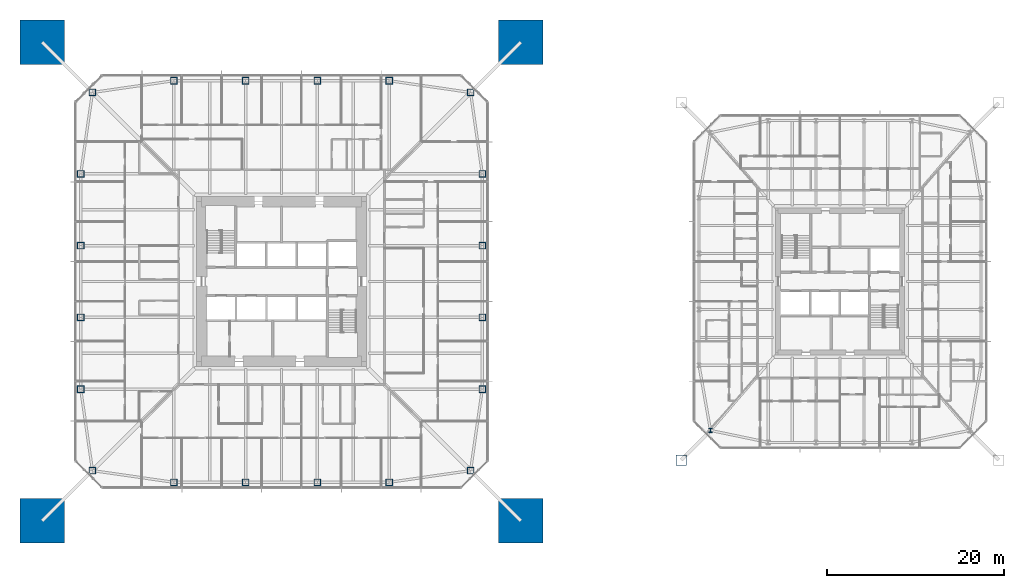
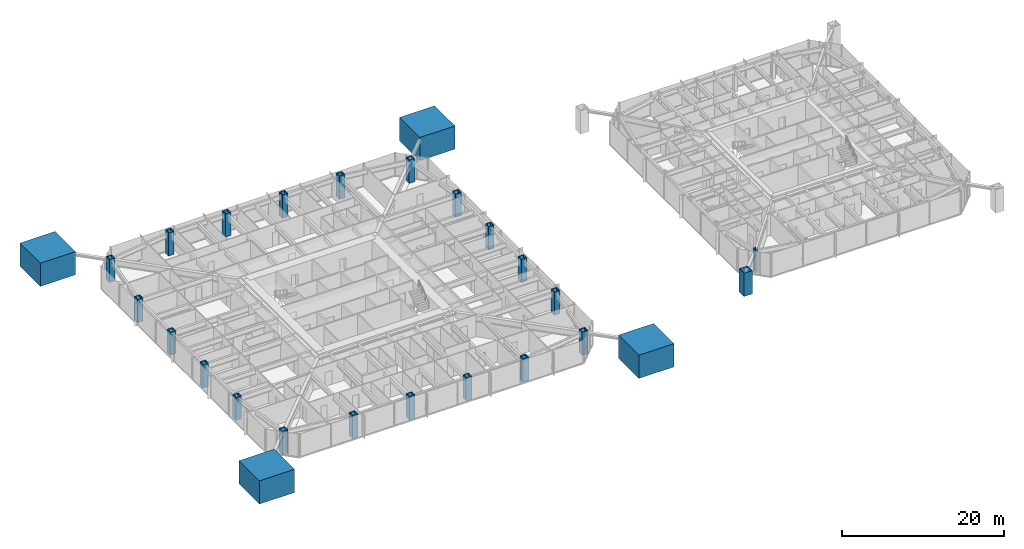
# One storey, part 1 of 26: 26 columns.
"""IFC4 building model written with IfcOpenShell, lengths in metres."""

import ifcopenshell
import ifcopenshell.guid

model = None  # the IFC model being written
_history = None  # IfcOwnerHistory: only IFC2X3 demands one
_inside = {}  # id of a spatial element -> (the spatial element, [elements in it])
_under = {}  # id of a project, library or spatial element -> (it, [spatial elements below it])
_declared = {}  # id of a project -> (the project, [libraries it declares])
_typed = {}  # id of a type object -> (the type object, [elements of that type])
_made_of = {}  # id of a material, layer set ... -> (it, [elements and type objects made of it])


def new_model(schema):
    """Start an empty IFC model of exactly this schema.

    Asked for "IFC4X3", IfcOpenShell would pick the latest addendum, in which some entities
    have other attributes; the version numbers below select the first issue.
    IFC2X3 requires an IfcOwnerHistory on every rooted entity: one is made here for all.
    """
    global model, _history
    if schema == "IFC4X3":
        model = ifcopenshell.file(schema_version=(4, 3, 0, 0))
    else:
        model = ifcopenshell.file(schema=schema)
    _inside.clear()
    _under.clear()
    _declared.clear()
    _typed.clear()
    _made_of.clear()
    _history = None
    if model.schema == "IFC2X3":
        org = make("IfcOrganization", Name="unknown")
        user = make(
            "IfcPersonAndOrganization",
            ThePerson=make("IfcPerson", FamilyName="unknown"),
            TheOrganization=org,
        )
        app = make(
            "IfcApplication",
            ApplicationDeveloper=org,
            Version="unknown",
            ApplicationFullName="unknown",
            ApplicationIdentifier="unknown",
        )
        _history = make(
            "IfcOwnerHistory",
            OwningUser=user,
            OwningApplication=app,
            ChangeAction="ADDED",
            CreationDate=0,
        )
    return model


def make(cls, **values):
    """One entity of the class cls with the attributes given. An attribute that is None is left unset."""
    return model.create_entity(
        cls, **{name: value for name, value in values.items() if value is not None}
    )


def rooted(cls, **values):
    """An entity with a GlobalId (a new one), such as an element, a storey or a relation."""
    return make(cls, GlobalId=ifcopenshell.guid.new(), OwnerHistory=_history, **values)


def si_unit(unit_type, name, prefix=None):
    """IfcSIUnit, for example si_unit("LENGTHUNIT", "METRE", prefix="MILLI")."""
    return make("IfcSIUnit", UnitType=unit_type, Prefix=prefix, Name=name)


def assignment(units):
    """IfcUnitAssignment: the units of a project."""
    return None if units is None else make("IfcUnitAssignment", Units=units)


def point(xyz):
    """IfcCartesianPoint."""
    return None if xyz is None else make("IfcCartesianPoint", Coordinates=xyz)


def direction(xyz):
    """IfcDirection."""
    return None if xyz is None else make("IfcDirection", DirectionRatios=xyz)


def frame(location, z_axis=None, x_axis=None):
    """IfcAxis2Placement3D, a coordinate frame: its origin and axes. An axis left out is left unset."""
    return make(
        "IfcAxis2Placement3D",
        Location=point(location),
        Axis=direction(z_axis),
        RefDirection=direction(x_axis),
    )


def frame_2d(location, x_axis=None):
    """IfcAxis2Placement2D, a coordinate frame in the plane: its origin and x axis."""
    return make(
        "IfcAxis2Placement2D", Location=point(location), RefDirection=direction(x_axis)
    )


def origin():
    """The frame at (0, 0, 0) with its axes left unset."""
    return frame((0.0, 0.0, 0.0))


def origin_2d():
    """The frame at (0, 0) in the plane with its x axis left unset."""
    return frame_2d((0.0, 0.0))


def place(relative_to, where):
    """IfcLocalPlacement: puts the frame where relative to a parent placement (None: the world)."""
    return make(
        "IfcLocalPlacement", PlacementRelTo=relative_to, RelativePlacement=where
    )


def context(
    kind, dimensions, precision=None, world=None, true_north=None, identifier=None
):
    """IfcGeometricRepresentationContext, for example the 3D "Model" context."""
    return make(
        "IfcGeometricRepresentationContext",
        ContextIdentifier=identifier,
        ContextType=kind,
        CoordinateSpaceDimension=dimensions,
        Precision=precision,
        WorldCoordinateSystem=world,
        TrueNorth=true_north,
    )


def subcontext(parent, identifier, kind, view, scale=None):
    """IfcGeometricRepresentationSubContext, for example "Body" below "Model"."""
    return make(
        "IfcGeometricRepresentationSubContext",
        ContextIdentifier=identifier,
        ContextType=kind,
        ParentContext=parent,
        TargetScale=scale,
        TargetView=view,
    )


def project(units=None, contexts=None):
    """IfcProject with its units and contexts."""
    return rooted(
        "IfcProject",
        Name="project",
        RepresentationContexts=contexts,
        UnitsInContext=assignment(units),
    )


def spatial(cls, under=None, at=None, **own):
    """A site, building, storey or space (cls), placed at a placement, below another one or the project."""
    s = rooted(cls, ObjectPlacement=at, **own)
    if under is not None:
        _under.setdefault(under.id(), (under, []))[1].append(s)
    return s


def profile(cls, at=None, kind="AREA", **sizes):
    """A parametric profile (cls). Its sizes go by their IFC names, for example OverallWidth=200.0."""
    return make(cls, ProfileType=kind, Position=at, **sizes)


def rectangle(**sizes):
    """IfcRectangleProfileDef."""
    return profile("IfcRectangleProfileDef", **sizes)


def hollow_rectangle(**sizes):
    """IfcRectangleHollowProfileDef."""
    return profile("IfcRectangleHollowProfileDef", **sizes)


def i_section(**sizes):
    """IfcIShapeProfileDef."""
    return profile("IfcIShapeProfileDef", **sizes)


def extrude(swept, where, along, depth):
    """IfcExtrudedAreaSolid: the profile swept, set in the frame where, extruded along a direction by depth."""
    return make(
        "IfcExtrudedAreaSolid",
        SweptArea=swept,
        Position=where,
        ExtrudedDirection=direction(along),
        Depth=depth,
    )


def shape(context_of_items, identifier, shape_type, items):
    """IfcShapeRepresentation: the items that make up one representation, for example the "Body"."""
    return make(
        "IfcShapeRepresentation",
        ContextOfItems=context_of_items,
        RepresentationIdentifier=identifier,
        RepresentationType=shape_type,
        Items=items,
    )


def material(Name=None, Category=None):
    """IfcMaterial."""
    return make("IfcMaterial", Name=Name, Category=Category)


def material_profile(
    of_material, cross_section, Name=None, Category=None, Priority=None
):
    """IfcMaterialProfile: a cross section and its material."""
    return make(
        "IfcMaterialProfile",
        Name=Name,
        Material=of_material,
        Profile=cross_section,
        Priority=Priority,
        Category=Category,
    )


def profile_set(profiles, Name=None, composite=None):
    """IfcMaterialProfileSet."""
    return make(
        "IfcMaterialProfileSet",
        Name=Name,
        MaterialProfiles=profiles,
        CompositeProfile=composite,
    )


def made_of(thing, what):
    """Note that an element or type object is made of a material, layer set ...; save() writes the relation."""
    if what is not None:
        _made_of.setdefault(what.id(), (what, []))[1].append(thing)
    return thing


def type_object(cls, material=None, **own):
    """A type object (cls), such as IfcWallType, which elements share."""
    return made_of(rooted(cls, **own), material)


def element(
    cls,
    number,
    at=None,
    inside=None,
    cuts=None,
    type_object=None,
    material=None,
    context=None,
    identifier="Body",
    shape_type=None,
    held_by="IfcProductDefinitionShape",
    body=None,
    shapes=None,
    **own,
):
    """One element of the class cls, such as IfcWall. Its Tag is "e" and its number.

    at: its placement. inside: the storey or other place that contains it. cuts: it is an
    opening in that element (IfcRelVoidsElement). A single representation is given by context,
    identifier, shape_type and body (its items); several are given by shapes. held_by: the class
    of the entity that holds the representations. save() writes the other relations.
    """
    e = rooted(cls, Tag="e%d" % number, ObjectPlacement=at, **own)
    if body is not None:
        shapes = [shape(context, identifier, shape_type, body)]
    if shapes is not None:
        e.Representation = make(held_by, Representations=shapes)
    if inside is not None:
        _inside.setdefault(inside.id(), (inside, []))[1].append(e)
    if cuts is not None:
        rooted(
            "IfcRelVoidsElement", RelatingBuildingElement=cuts, RelatedOpeningElement=e
        )
    if type_object is not None:
        _typed.setdefault(type_object.id(), (type_object, []))[1].append(e)
    return made_of(e, material)


def aggregate(whole, parts):
    """IfcRelAggregates: a whole, such as a stair, and the parts it consists of."""
    return rooted("IfcRelAggregates", RelatingObject=whole, RelatedObjects=parts)


def save(model, path):
    """Write the relations noted so far, then the file.

    IfcRelAggregates (storeys below a building ...), IfcRelContainedInSpatialStructure (elements
    in a storey), IfcRelDefinesByType, IfcRelAssociatesMaterial and IfcRelDeclares: one each for
    every whole, place, type object, material and project.
    """
    for whole, parts in _under.values():
        aggregate(whole, parts)
    for where, things in _inside.values():
        rooted(
            "IfcRelContainedInSpatialStructure",
            RelatedElements=things,
            RelatingStructure=where,
        )
    for kind, things in _typed.values():
        rooted("IfcRelDefinesByType", RelatedObjects=things, RelatingType=kind)
    for what, things in _made_of.values():
        rooted("IfcRelAssociatesMaterial", RelatedObjects=things, RelatingMaterial=what)
    for by, libraries in _declared.values():
        rooted("IfcRelDeclares", RelatingContext=by, RelatedDefinitions=libraries)
    model.write(path)


model = new_model("IFC4")

# Units and contexts
model_context = context("Model", 3, precision=1e-05, world=origin(), true_north=direction((0.0, 1.0)))
body_context = subcontext(model_context, "Body", "Model", "MODEL_VIEW")
ifc_project = project(units=[si_unit("LENGTHUNIT", "METRE"), si_unit("AREAUNIT", "SQUARE_METRE"), si_unit("VOLUMEUNIT", "CUBIC_METRE"), si_unit("PLANEANGLEUNIT", "RADIAN"), si_unit("MASSUNIT", "GRAM", prefix="KILO")], contexts=[model_context])

# Site, building, storey
site_placement = place(None, origin())
site = spatial("IfcSite", under=ifc_project, at=site_placement, CompositionType="ELEMENT")
building_placement = place(site_placement, origin())
building = spatial("IfcBuilding", under=site, at=building_placement, Name="Iwan Alto Co-Living Towers", CompositionType="ELEMENT")
storey_placement = place(building_placement, frame((0.0, 0.0, 57.0)))
storey = spatial("IfcBuildingStorey", under=building, at=storey_placement, Name="L15", CompositionType="ELEMENT", Elevation=57.0)

# Columns
ifc_material_1 = material(Name="Concrete f'c 70 MPa", Category="concrete")
ifc_material_profile_1 = material_profile(ifc_material_1, rectangle(XDim=5.0, YDim=5.0, at=origin_2d()), Name="RC 5000X5000")
ifc_profile_set_1 = profile_set([ifc_material_profile_1], Name="Concrete f'c 70 MPa")
column_type_1 = type_object("IfcColumnType", Name="T1 MEGA COLUMN RC 5000X5000", PredefinedType="COLUMN", material=ifc_profile_set_1)
for number, where, z_axis, x_axis, name in (
    (1, (-27.0, -27.0, 0.0), (0.0, 0.0, 1.0), (1.0, 0.0, 0.0), "T1 mega column SW L15"),
    (2, (27.0, -27.0, 0.0), (0.0, 0.0, 1.0), (1.0, 0.0, 0.0), "T1 mega column SE L15"),
    (3, (27.0, 27.0, 0.0), (0.0, 0.0, 1.0), (1.0, 0.0, 0.0), "T1 mega column NE L15"),
    (4, (-27.0, 27.0, 0.0), (0.0, 0.0, 1.0), (1.0, 0.0, 0.0), "T1 mega column NW L15"),
):
    element("IfcColumn", number, at=place(storey_placement, frame(where, z_axis=z_axis, x_axis=x_axis)), inside=storey, type_object=column_type_1, Name=name, PredefinedType="COLUMN", context=body_context, shape_type="SweptSolid", body=[
        extrude(rectangle(XDim=5.0, YDim=5.0, at=origin_2d()), origin(), (0.0, 0.0, 1.0), 3.5),
        extrude(i_section(OverallWidth=0.4775390625, OverallDepth=0.599365234375, WebThickness=0.10009765625, FlangeThickness=0.139892578125, at=origin_2d()), origin(), (0.0, 0.0, 1.0), 3.5),
    ])
ifc_material_2 = material(Name="Steel ASTM A572 Gr 50", Category="steel")
ifc_material_profile_2 = material_profile(ifc_material_2, hollow_rectangle(XDim=0.800048828125, YDim=0.800048828125, WallThickness=0.090087890625, at=origin_2d()), Name="BOX 800X800X90")
ifc_profile_set_2 = profile_set([ifc_material_profile_2], Name="Steel ASTM A572 Gr 50")
column_type_2 = type_object("IfcColumnType", Name="T1 RING COLUMN BOX 800X800X90", PredefinedType="COLUMN", material=ifc_profile_set_2)
for number, where, z_axis, x_axis, name in (
    (5, (-21.32568359375, -21.32568359375, 0.0), (0.0, 0.0, 1.0), (1.0, 0.0, 0.0), "T1 ring column CSW L15"),
    (6, (-12.14990234375, -22.64990234375, 0.0), (0.0, 0.0, 1.0), (1.0, 0.0, 0.0), "T1 ring column S1 L15"),
    (7, (-4.050048828125, -22.64990234375, 0.0), (0.0, 0.0, 1.0), (1.0, 0.0, 0.0), "T1 ring column S2 L15"),
    (8, (4.050048828125, -22.64990234375, 0.0), (0.0, 0.0, 1.0), (1.0, 0.0, 0.0), "T1 ring column S3 L15"),
    (9, (12.14990234375, -22.64990234375, 0.0), (0.0, 0.0, 1.0), (1.0, 0.0, 0.0), "T1 ring column S4 L15"),
    (10, (21.32568359375, -21.32568359375, 0.0), (0.0, 0.0, 1.0), (1.0, 0.0, 0.0), "T1 ring column CSE L15"),
    (11, (22.64990234375, -12.14990234375, 0.0), (0.0, 0.0, 1.0), (1.0, 0.0, 0.0), "T1 ring column E1 L15"),
    (12, (22.64990234375, -4.050048828125, 0.0), (0.0, 0.0, 1.0), (1.0, 0.0, 0.0), "T1 ring column E2 L15"),
    (13, (22.64990234375, 4.050048828125, 0.0), (0.0, 0.0, 1.0), (1.0, 0.0, 0.0), "T1 ring column E3 L15"),
    (14, (22.64990234375, 12.14990234375, 0.0), (0.0, 0.0, 1.0), (1.0, 0.0, 0.0), "T1 ring column E4 L15"),
    (15, (21.32568359375, 21.32568359375, 0.0), (0.0, 0.0, 1.0), (1.0, 0.0, 0.0), "T1 ring column CNE L15"),
    (16, (12.14990234375, 22.64990234375, 0.0), (0.0, 0.0, 1.0), (1.0, 0.0, 0.0), "T1 ring column N1 L15"),
    (17, (4.050048828125, 22.64990234375, 0.0), (0.0, 0.0, 1.0), (1.0, 0.0, 0.0), "T1 ring column N2 L15"),
    (18, (-4.050048828125, 22.64990234375, 0.0), (0.0, 0.0, 1.0), (1.0, 0.0, 0.0), "T1 ring column N3 L15"),
    (19, (-12.14990234375, 22.64990234375, 0.0), (0.0, 0.0, 1.0), (1.0, 0.0, 0.0), "T1 ring column N4 L15"),
    (20, (-21.32568359375, 21.32568359375, 0.0), (0.0, 0.0, 1.0), (1.0, 0.0, 0.0), "T1 ring column CNW L15"),
    (21, (-22.64990234375, 12.14990234375, 0.0), (0.0, 0.0, 1.0), (1.0, 0.0, 0.0), "T1 ring column W1 L15"),
    (22, (-22.64990234375, 4.050048828125, 0.0), (0.0, 0.0, 1.0), (1.0, 0.0, 0.0), "T1 ring column W2 L15"),
    (23, (-22.64990234375, -4.050048828125, 0.0), (0.0, 0.0, 1.0), (1.0, 0.0, 0.0), "T1 ring column W3 L15"),
    (24, (-22.64990234375, -12.14990234375, 0.0), (0.0, 0.0, 1.0), (1.0, 0.0, 0.0), "T1 ring column W4 L15"),
):
    element("IfcColumn", number, at=place(storey_placement, frame(where, z_axis=z_axis, x_axis=x_axis)), inside=storey, type_object=column_type_2, Name=name, PredefinedType="COLUMN", context=body_context, shape_type="SweptSolid", body=[
        extrude(hollow_rectangle(XDim=0.800048828125, YDim=0.800048828125, WallThickness=0.090087890625, at=origin_2d()), origin(), (0.0, 0.0, 1.0), 3.5),
    ])
ifc_material_3 = material(Name="Steel ASTM A572 Gr 50", Category="steel")
ifc_material_profile_3 = material_profile(ifc_material_3, hollow_rectangle(XDim=1.199951171875, YDim=1.199951171875, WallThickness=0.070068359375, at=origin_2d()), Name="BOX 1200X1200X70")
ifc_profile_set_3 = profile_set([ifc_material_profile_3], Name="Steel ASTM A572 Gr 50")
column_type_3 = type_object("IfcColumnType", Name="T2 MEGA COLUMN BOX 1200X1200X70", PredefinedType="COLUMN", material=ifc_profile_set_3)
column_1_placement = place(storey_placement, frame((45.10009765625, -20.14990234375, 0.0), z_axis=(0.0, 0.0, 1.0), x_axis=(1.0, 0.0, 0.0)))
element("IfcColumn", 25, at=column_1_placement, inside=storey, type_object=column_type_3, Name="T2 mega column SW L15", PredefinedType="COLUMN", context=body_context, shape_type="SweptSolid", body=[
    extrude(hollow_rectangle(XDim=1.199951171875, YDim=1.199951171875, WallThickness=0.070068359375, at=origin_2d()), origin(), (0.0, 0.0, 1.0), 3.5),
])
ifc_material_4 = material(Name="Steel ASTM A992 Gr 50", Category="steel")
ifc_material_profile_4 = material_profile(ifc_material_4, i_section(OverallWidth=0.424072265625, OverallDepth=0.47509765625, WebThickness=0.0478515625, FlangeThickness=0.0771484375, at=origin_2d()), Name="W14X426")
ifc_profile_set_4 = profile_set([ifc_material_profile_4], Name="Steel ASTM A992 Gr 50")
column_type_4 = type_object("IfcColumnType", Name="T2 RING COLUMN W14X426", PredefinedType="COLUMN", material=ifc_profile_set_4)
column_2_placement = place(storey_placement, frame((48.393798828125, -16.797119140625, 0.0), z_axis=(0.0, 0.0, 1.0), x_axis=(1.0, 0.0, 0.0)))
element("IfcColumn", 26, at=column_2_placement, inside=storey, type_object=column_type_4, Name="T2 ring column CSW L15", PredefinedType="COLUMN", context=body_context, shape_type="SweptSolid", body=[
    extrude(i_section(OverallWidth=0.424072265625, OverallDepth=0.47509765625, WebThickness=0.0478515625, FlangeThickness=0.0771484375, at=origin_2d()), origin(), (0.0, 0.0, 1.0), 3.5),
])

save(model, "model.ifc")
